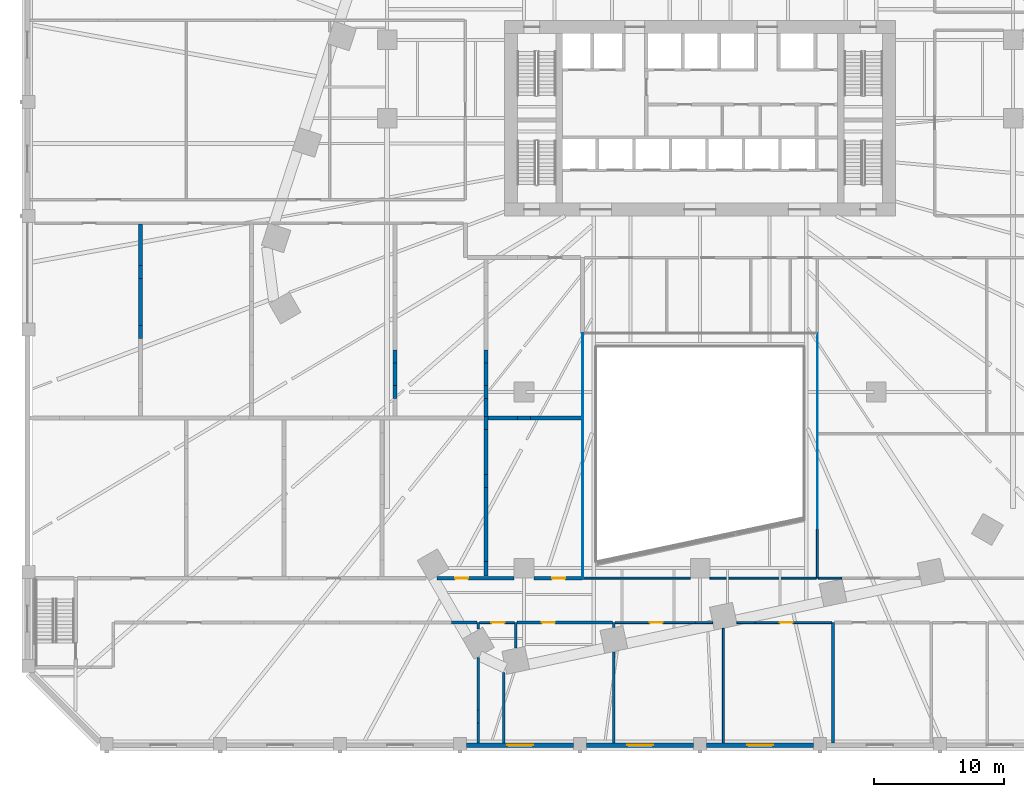
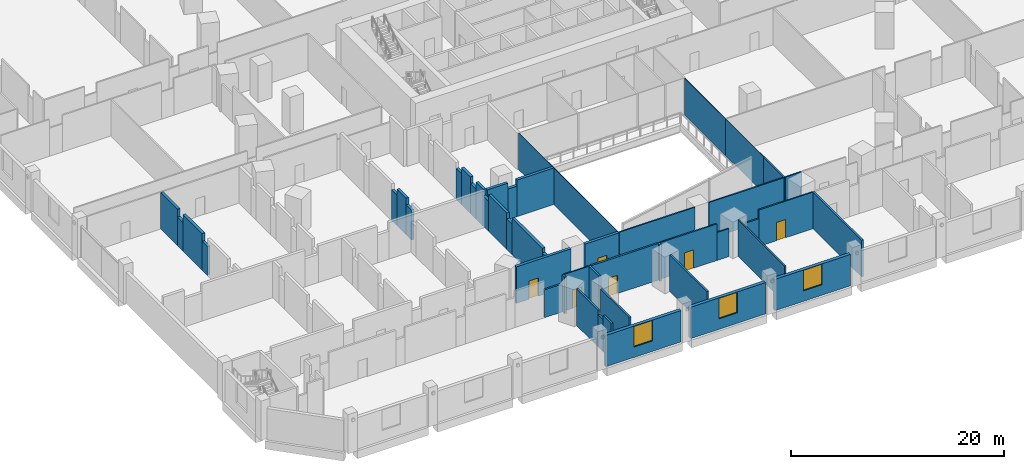
# One storey, part 14 of 33: 49 walls, 6 doors, 3 windows, 9 openings.
"""IFC4 building model written with IfcOpenShell, lengths in metres."""

from ifc_helpers import new_model, si_unit, direction, frame, frame_2d, origin, place, context, subcontext, project, spatial, rectangle, extrude, material, layer, layer_set, type_object, element, fill, save


model = new_model("IFC4")

# Units and contexts
model_context = context("Model", 3, precision=1e-05, world=origin(), true_north=direction((0.0, 1.0)))
body_context = subcontext(model_context, "Body", "Model", "MODEL_VIEW")
ifc_project = project(units=[si_unit("LENGTHUNIT", "METRE"), si_unit("AREAUNIT", "SQUARE_METRE"), si_unit("VOLUMEUNIT", "CUBIC_METRE"), si_unit("PLANEANGLEUNIT", "RADIAN"), si_unit("MASSUNIT", "GRAM", prefix="KILO")], contexts=[model_context])

# Site, building, storey
site_placement = place(None, origin())
site = spatial("IfcSite", under=ifc_project, at=site_placement, CompositionType="ELEMENT")
building_placement = place(site_placement, origin())
building = spatial("IfcBuilding", under=site, at=building_placement, Name="Isthmus Gate Tower", CompositionType="ELEMENT")
storey_placement = place(building_placement, frame((0.0, 0.0, 22.5)))
storey = spatial("IfcBuildingStorey", under=building, at=storey_placement, Name="L03", CompositionType="ELEMENT", Elevation=22.5)

# Wall, opening, door
ifc_material_1 = material(Name="Double-leaf gypsum board with mineral wool, resilient mounted")
ifc_layer_1 = layer(ifc_material_1, 0.300048828125)
ifc_layer_set_1 = layer_set([ifc_layer_1], Name="Acoustic studio wall 300 double leaf")
wall_type_1 = type_object("IfcWallType", Name="Acoustic studio wall 300 double leaf", PredefinedType="PARTITIONING", material=ifc_layer_set_1)
wall_1_placement = place(storey_placement, frame((-20.189453125, -27.779052734375, 0.0), z_axis=(0.0, 0.0, 1.0), x_axis=(1.0, 0.0, 0.0)))
wall_1 = element("IfcWall", 1, at=wall_1_placement, inside=storey, type_object=wall_type_1, Name="Acoustic studio wall", PredefinedType="PARTITIONING", context=body_context, shape_type="SweptSolid", body=[
    extrude(rectangle(XDim=5.939453125, YDim=0.300048828125, at=frame_2d((2.9697265625, 0.0))), origin(), (0.0, 0.0, 1.0), 4.199951171875),
])
opening_1_placement = place(wall_1_placement, frame((1.39990234375, 0.0, 0.0)))
opening_1 = element("IfcOpeningElement", 2, at=opening_1_placement, cuts=wall_1, Name="Opening DP03-17", PredefinedType="OPENING", context=body_context, shape_type="SweptSolid", body=[
    extrude(rectangle(XDim=1.0, YDim=2.10009765625, at=frame_2d((0.5, 1.050048828125))), frame((0.0, 0.159912109375, 0.0), z_axis=(0.0, -1.0, 0.0), x_axis=(1.0, 0.0, 0.0)), (0.0, 0.0, 1.0), 0.320068359375),
])
ifc_material_2 = material(Name="Hollow metal frame with solid-core timber leaf", Category="wood")
door_type_1 = type_object("IfcDoorType", Name="Single swing door 1000 x 2100", OperationType="SINGLE_SWING_LEFT", PredefinedType="DOOR", material=ifc_material_2)
door_1_placement = place(opening_1_placement, origin())
door_1 = element("IfcDoor", 3, at=door_1_placement, inside=storey, type_object=door_type_1, Name="Door DP03-17", OperationType="SINGLE_SWING_LEFT", OverallHeight=2.10009765625, OverallWidth=1.0, PredefinedType="DOOR", context=body_context, shape_type="SweptSolid", body=[
    extrude(rectangle(XDim=1.0, YDim=2.10009765625, at=frame_2d((0.5, 1.050048828125))), frame((0.0, 0.02490234375, 0.0), z_axis=(0.0, -1.0, 0.0), x_axis=(1.0, 0.0, 0.0)), (0.0, 0.0, 1.0), 0.050048828125),
])
fill(opening_1, door_1)

wall_2_placement = place(storey_placement, frame((-12.75, -27.779052734375, 0.0), z_axis=(0.0, 0.0, 1.0), x_axis=(1.0, 0.0, 0.0)))
wall_2 = element("IfcWall", 4, at=wall_2_placement, inside=storey, type_object=wall_type_1, Name="Acoustic studio wall", PredefinedType="PARTITIONING", context=body_context, shape_type="SweptSolid", body=[
    extrude(rectangle(XDim=3.719970703125, YDim=0.300048828125, at=frame_2d((1.85986328125, 0.0))), origin(), (0.0, 0.0, 1.0), 4.199951171875),
])
opening_2_placement = place(wall_2_placement, frame((1.39990234375, 0.0, 0.0)))
opening_2 = element("IfcOpeningElement", 5, at=opening_2_placement, cuts=wall_2, Name="Opening DP03-18", PredefinedType="OPENING", context=body_context, shape_type="SweptSolid", body=[
    extrude(rectangle(XDim=1.0, YDim=2.10009765625, at=frame_2d((0.5, 1.050048828125))), frame((0.0, 0.159912109375, 0.0), z_axis=(0.0, -1.0, 0.0), x_axis=(1.0, 0.0, 0.0)), (0.0, 0.0, 1.0), 0.320068359375),
])
door_2_placement = place(opening_2_placement, origin())
door_2 = element("IfcDoor", 6, at=door_2_placement, inside=storey, type_object=door_type_1, Name="Door DP03-18", OperationType="SINGLE_SWING_LEFT", OverallHeight=2.10009765625, OverallWidth=1.0, PredefinedType="DOOR", context=body_context, shape_type="SweptSolid", body=[
    extrude(rectangle(XDim=1.0, YDim=2.10009765625, at=frame_2d((0.5, 1.050048828125))), frame((0.0, 0.02490234375, 0.0), z_axis=(0.0, -1.0, 0.0), x_axis=(1.0, 0.0, 0.0)), (0.0, 0.0, 1.0), 0.050048828125),
])
fill(opening_2, door_2)

# Walls
wall_3_placement = place(storey_placement, frame((-16.25, -15.489013671875, 0.0), z_axis=(0.0, 0.0, 1.0), x_axis=(1.0, 0.0, 0.0)))
element("IfcWall", 7, at=wall_3_placement, inside=storey, type_object=wall_type_1, Name="Acoustic studio wall", PredefinedType="PARTITIONING", context=body_context, shape_type="SweptSolid", body=[
    extrude(rectangle(XDim=2.25, YDim=0.300048828125, at=frame_2d((1.125, 0.0))), origin(), (0.0, 0.0, 1.0), 4.199951171875),
])
wall_4_placement = place(storey_placement, frame((-14.0, -15.489013671875, 0.0), z_axis=(0.0, 0.0, 1.0), x_axis=(1.0, 0.0, 0.0)))
element("IfcWall", 8, at=wall_4_placement, inside=storey, type_object=wall_type_1, Name="Acoustic studio wall", PredefinedType="PARTITIONING", context=body_context, shape_type="SweptSolid", body=[
    extrude(rectangle(XDim=1.0, YDim=0.300048828125, at=frame_2d((0.5, 0.0))), origin(), (0.0, 0.0, 1.0), 3.5205078125),
])
wall_5_placement = place(storey_placement, frame((-13.0, -15.489013671875, 0.0), z_axis=(0.0, 0.0, 1.0), x_axis=(1.0, 0.0, 0.0)))
element("IfcWall", 9, at=wall_5_placement, inside=storey, type_object=wall_type_1, Name="Acoustic studio wall", PredefinedType="PARTITIONING", context=body_context, shape_type="SweptSolid", body=[
    extrude(rectangle(XDim=3.969970703125, YDim=0.300048828125, at=frame_2d((1.98486328125, 0.0))), origin(), (0.0, 0.0, 1.0), 4.199951171875),
])
wall_6_placement = place(storey_placement, frame((-42.89990234375, -9.416015625, 0.0), z_axis=(0.0, 0.0, 1.0), x_axis=(0.0, 1.0, 0.0)))
element("IfcWall", 10, at=wall_6_placement, inside=storey, type_object=wall_type_1, Name="Acoustic studio wall", PredefinedType="PARTITIONING", context=body_context, shape_type="SweptSolid", body=[
    extrude(rectangle(XDim=1.0, YDim=0.300048828125, at=frame_2d((0.5, 0.0))), origin(), (0.0, 0.0, 1.0), 3.29833984375),
])
wall_7_placement = place(storey_placement, frame((-42.89990234375, -8.416015625, 0.0), z_axis=(0.0, 0.0, 1.0), x_axis=(0.0, 1.0, 0.0)))
element("IfcWall", 11, at=wall_7_placement, inside=storey, type_object=wall_type_1, Name="Acoustic studio wall", PredefinedType="PARTITIONING", context=body_context, shape_type="SweptSolid", body=[
    extrude(rectangle(XDim=3.615234375, YDim=0.300048828125, at=frame_2d((1.8076171875, 0.0))), origin(), (0.0, 0.0, 1.0), 4.199951171875),
])
wall_8_placement = place(storey_placement, frame((-42.89990234375, -4.80078125, 0.0), z_axis=(0.0, 0.0, 1.0), x_axis=(0.0, 1.0, 0.0)))
element("IfcWall", 12, at=wall_8_placement, inside=storey, type_object=wall_type_1, Name="Acoustic studio wall", PredefinedType="PARTITIONING", context=body_context, shape_type="SweptSolid", body=[
    extrude(rectangle(XDim=1.0, YDim=0.300048828125, at=frame_2d((0.5, 0.0))), origin(), (0.0, 0.0, 1.0), 3.29833984375),
])
wall_9_placement = place(storey_placement, frame((-42.89990234375, -3.80078125, 0.0), z_axis=(0.0, 0.0, 1.0), x_axis=(0.0, 1.0, 0.0)))
element("IfcWall", 13, at=wall_9_placement, inside=storey, type_object=wall_type_1, Name="Acoustic studio wall", PredefinedType="PARTITIONING", context=body_context, shape_type="SweptSolid", body=[
    extrude(rectangle(XDim=3.1767578125, YDim=0.300048828125, at=frame_2d((1.58837890625, 0.0))), origin(), (0.0, 0.0, 1.0), 4.199951171875),
])
wall_10_placement = place(storey_placement, frame((-23.39990234375, -14.0, 0.0), z_axis=(0.0, 0.0, 1.0), x_axis=(0.0, 1.0, 0.0)))
element("IfcWall", 14, at=wall_10_placement, inside=storey, type_object=wall_type_1, Name="Acoustic studio wall", PredefinedType="PARTITIONING", context=body_context, shape_type="SweptSolid", body=[
    extrude(rectangle(XDim=1.0, YDim=0.300048828125, at=frame_2d((0.5, 0.0))), origin(), (0.0, 0.0, 1.0), 3.441162109375),
])
wall_11_placement = place(storey_placement, frame((-23.39990234375, -13.0, 0.0), z_axis=(0.0, 0.0, 1.0), x_axis=(0.0, 1.0, 0.0)))
element("IfcWall", 15, at=wall_11_placement, inside=storey, type_object=wall_type_1, Name="Acoustic studio wall", PredefinedType="PARTITIONING", context=body_context, shape_type="SweptSolid", body=[
    extrude(rectangle(XDim=1.727294921875, YDim=0.300048828125, at=frame_2d((0.86376953125, 0.0))), origin(), (0.0, 0.0, 1.0), 4.199951171875),
])
wall_12_placement = place(storey_placement, frame((-23.39990234375, -11.272705078125, 0.0), z_axis=(0.0, 0.0, 1.0), x_axis=(0.0, 1.0, 0.0)))
element("IfcWall", 16, at=wall_12_placement, inside=storey, type_object=wall_type_1, Name="Acoustic studio wall", PredefinedType="PARTITIONING", context=body_context, shape_type="SweptSolid", body=[
    extrude(rectangle(XDim=1.0, YDim=0.300048828125, at=frame_2d((0.5, 0.0))), origin(), (0.0, 0.0, 1.0), 3.5205078125),
])
wall_13_placement = place(storey_placement, frame((-16.39990234375, -27.62890625, 0.0), z_axis=(0.0, 0.0, 1.0), x_axis=(0.0, 1.0, 0.0)))
element("IfcWall", 17, at=wall_13_placement, inside=storey, type_object=wall_type_1, Name="Acoustic studio wall", PredefinedType="PARTITIONING", context=body_context, shape_type="SweptSolid", body=[
    extrude(rectangle(XDim=1.12890625, YDim=0.300048828125, at=frame_2d((0.564453125, 0.0))), origin(), (0.0, 0.0, 1.0), 3.66650390625),
])
wall_14_placement = place(storey_placement, frame((-16.39990234375, -26.5, 0.0), z_axis=(0.0, 0.0, 1.0), x_axis=(0.0, 1.0, 0.0)))
element("IfcWall", 18, at=wall_14_placement, inside=storey, type_object=wall_type_1, Name="Acoustic studio wall", PredefinedType="PARTITIONING", context=body_context, shape_type="SweptSolid", body=[
    extrude(rectangle(XDim=5.683349609375, YDim=0.300048828125, at=frame_2d((2.841796875, 0.0))), origin(), (0.0, 0.0, 1.0), 4.199951171875),
])
wall_15_placement = place(storey_placement, frame((-16.39990234375, -20.816650390625, 0.0), z_axis=(0.0, 0.0, 1.0), x_axis=(0.0, 1.0, 0.0)))
element("IfcWall", 19, at=wall_15_placement, inside=storey, type_object=wall_type_1, Name="Acoustic studio wall", PredefinedType="PARTITIONING", context=body_context, shape_type="SweptSolid", body=[
    extrude(rectangle(XDim=1.0, YDim=0.300048828125, at=frame_2d((0.5, 0.0))), origin(), (0.0, 0.0, 1.0), 3.5205078125),
])
wall_16_placement = place(storey_placement, frame((-16.39990234375, -19.816650390625, 0.0), z_axis=(0.0, 0.0, 1.0), x_axis=(0.0, 1.0, 0.0)))
element("IfcWall", 20, at=wall_16_placement, inside=storey, type_object=wall_type_1, Name="Acoustic studio wall", PredefinedType="PARTITIONING", context=body_context, shape_type="SweptSolid", body=[
    extrude(rectangle(XDim=3.45556640625, YDim=0.300048828125, at=frame_2d((1.727783203125, 0.0))), origin(), (0.0, 0.0, 1.0), 4.199951171875),
])
wall_17_placement = place(storey_placement, frame((-16.39990234375, -16.361083984375, 0.0), z_axis=(0.0, 0.0, 1.0), x_axis=(0.0, 1.0, 0.0)))
element("IfcWall", 21, at=wall_17_placement, inside=storey, type_object=wall_type_1, Name="Acoustic studio wall", PredefinedType="PARTITIONING", context=body_context, shape_type="SweptSolid", body=[
    extrude(rectangle(XDim=1.0, YDim=0.300048828125, at=frame_2d((0.5, 0.0))), origin(), (0.0, 0.0, 1.0), 3.45068359375),
])
wall_18_placement = place(storey_placement, frame((-16.39990234375, -15.361083984375, 0.0), z_axis=(0.0, 0.0, 1.0), x_axis=(0.0, 1.0, 0.0)))
element("IfcWall", 22, at=wall_18_placement, inside=storey, type_object=wall_type_1, Name="Acoustic studio wall", PredefinedType="PARTITIONING", context=body_context, shape_type="SweptSolid", body=[
    extrude(rectangle(XDim=1.361083984375, YDim=0.300048828125, at=frame_2d((0.6806640625, 0.0))), origin(), (0.0, 0.0, 1.0), 4.199951171875),
])
wall_19_placement = place(storey_placement, frame((-16.39990234375, -14.0, 0.0), z_axis=(0.0, 0.0, 1.0), x_axis=(0.0, 1.0, 0.0)))
element("IfcWall", 23, at=wall_19_placement, inside=storey, type_object=wall_type_1, Name="Acoustic studio wall", PredefinedType="PARTITIONING", context=body_context, shape_type="SweptSolid", body=[
    extrude(rectangle(XDim=1.0, YDim=0.300048828125, at=frame_2d((0.5, 0.0))), origin(), (0.0, 0.0, 1.0), 3.441162109375),
])
wall_20_placement = place(storey_placement, frame((-16.39990234375, -13.0, 0.0), z_axis=(0.0, 0.0, 1.0), x_axis=(0.0, 1.0, 0.0)))
element("IfcWall", 24, at=wall_20_placement, inside=storey, type_object=wall_type_1, Name="Acoustic studio wall", PredefinedType="PARTITIONING", context=body_context, shape_type="SweptSolid", body=[
    extrude(rectangle(XDim=1.727294921875, YDim=0.300048828125, at=frame_2d((0.86376953125, 0.0))), origin(), (0.0, 0.0, 1.0), 4.199951171875),
])
wall_21_placement = place(storey_placement, frame((-16.39990234375, -11.272705078125, 0.0), z_axis=(0.0, 0.0, 1.0), x_axis=(0.0, 1.0, 0.0)))
element("IfcWall", 25, at=wall_21_placement, inside=storey, type_object=wall_type_1, Name="Acoustic studio wall", PredefinedType="PARTITIONING", context=body_context, shape_type="SweptSolid", body=[
    extrude(rectangle(XDim=1.0, YDim=0.300048828125, at=frame_2d((0.5, 0.0))), origin(), (0.0, 0.0, 1.0), 3.5205078125),
])
ifc_material_3 = material(Name="Concrete f'c 30 MPa", Category="concrete")
ifc_layer_2 = layer(ifc_material_3, 0.199951171875)
ifc_layer_set_2 = layer_set([ifc_layer_2], Name="Fire-rated block wall 200")
wall_type_2 = type_object("IfcWallType", Name="Fire-rated block wall 200", PredefinedType="PARTITIONING", material=ifc_layer_set_2)
wall_22_placement = place(storey_placement, frame((-19.064697265625, -31.178955078125, 0.0), z_axis=(0.0, 0.0, 1.0), x_axis=(1.0, 0.0, 0.0)))
element("IfcWall", 26, at=wall_22_placement, inside=storey, type_object=wall_type_2, Name="Fire-rated wall", PredefinedType="PARTITIONING", context=body_context, shape_type="SweptSolid", body=[
    extrude(rectangle(XDim=1.9697265625, YDim=0.199951171875, at=frame_2d((0.98486328125, 0.0))), origin(), (0.0, 0.0, 1.0), 3.199951171875),
])

# Wall, opening, door
wall_23_placement = place(storey_placement, frame((-14.031982421875, -31.178955078125, 0.0), z_axis=(0.0, 0.0, 1.0), x_axis=(1.0, 0.0, 0.0)))
wall_23 = element("IfcWall", 27, at=wall_23_placement, inside=storey, type_object=wall_type_2, Name="Fire-rated wall", PredefinedType="PARTITIONING", context=body_context, shape_type="SweptSolid", body=[
    extrude(rectangle(XDim=7.321044921875, YDim=0.199951171875, at=frame_2d((3.66064453125, 0.0))), origin(), (0.0, 0.0, 1.0), 4.199951171875),
])
opening_3_placement = place(wall_23_placement, frame((1.89990234375, 0.0, 0.0)))
opening_3 = element("IfcOpeningElement", 28, at=opening_3_placement, cuts=wall_23, Name="Opening DP03-48", PredefinedType="OPENING", context=body_context, shape_type="SweptSolid", body=[
    extrude(rectangle(XDim=1.0, YDim=2.10009765625, at=frame_2d((0.5, 1.050048828125))), frame((0.0, 0.10986328125, 0.0), z_axis=(0.0, -1.0, 0.0), x_axis=(1.0, 0.0, 0.0)), (0.0, 0.0, 1.0), 0.219970703125),
])
ifc_material_4 = material(Name="Steel fire door with intumescent seals", Category="steel")
door_type_2 = type_object("IfcDoorType", Name="Fire door 1000 x 2100", OperationType="SINGLE_SWING_LEFT", PredefinedType="DOOR", material=ifc_material_4)
door_3_placement = place(opening_3_placement, origin())
door_3 = element("IfcDoor", 29, at=door_3_placement, inside=storey, type_object=door_type_2, Name="Door DP03-48", OperationType="SINGLE_SWING_LEFT", OverallHeight=2.10009765625, OverallWidth=1.0, PredefinedType="DOOR", context=body_context, shape_type="SweptSolid", body=[
    extrude(rectangle(XDim=1.0, YDim=2.10009765625, at=frame_2d((0.5, 1.050048828125))), frame((0.0, 0.02490234375, 0.0), z_axis=(0.0, -1.0, 0.0), x_axis=(1.0, 0.0, 0.0)), (0.0, 0.0, 1.0), 0.050048828125),
])
fill(opening_3, door_3)

# Walls
wall_24_placement = place(storey_placement, frame((-16.9951171875, -40.39990234375, 0.0), z_axis=(0.0, 0.0, 1.0), x_axis=(0.0, 1.0, 0.0)))
element("IfcWall", 30, at=wall_24_placement, inside=storey, type_object=wall_type_2, Name="Fire-rated wall", PredefinedType="PARTITIONING", context=body_context, shape_type="SweptSolid", body=[
    extrude(rectangle(XDim=1.50390625, YDim=0.199951171875, at=frame_2d((0.751953125, 0.0))), origin(), (0.0, 0.0, 1.0), 4.199951171875),
])
wall_25_placement = place(storey_placement, frame((-16.9951171875, -38.89599609375, 0.0), z_axis=(0.0, 0.0, 1.0), x_axis=(0.0, 1.0, 0.0)))
element("IfcWall", 31, at=wall_25_placement, inside=storey, type_object=wall_type_2, Name="Fire-rated wall", PredefinedType="PARTITIONING", context=body_context, shape_type="SweptSolid", body=[
    extrude(rectangle(XDim=1.0, YDim=0.199951171875, at=frame_2d((0.5, 0.0))), origin(), (0.0, 0.0, 1.0), 3.676025390625),
])
wall_26_placement = place(storey_placement, frame((-16.9951171875, -37.89599609375, 0.0), z_axis=(0.0, 0.0, 1.0), x_axis=(0.0, 1.0, 0.0)))
element("IfcWall", 32, at=wall_26_placement, inside=storey, type_object=wall_type_2, Name="Fire-rated wall", PredefinedType="PARTITIONING", context=body_context, shape_type="SweptSolid", body=[
    extrude(rectangle(XDim=4.035888671875, YDim=0.199951171875, at=frame_2d((2.01806640625, 0.0))), origin(), (0.0, 0.0, 1.0), 4.199951171875),
])
wall_27_placement = place(storey_placement, frame((-16.9951171875, -31.666259765625, 0.0), z_axis=(0.0, 0.0, 1.0), x_axis=(0.0, 1.0, 0.0)))
element("IfcWall", 33, at=wall_27_placement, inside=storey, type_object=wall_type_2, Name="Fire-rated wall", PredefinedType="PARTITIONING", context=body_context, shape_type="SweptSolid", body=[
    extrude(rectangle(XDim=0.4873046875, YDim=0.199951171875, at=frame_2d((0.24365234375, 0.0))), origin(), (0.0, 0.0, 1.0), 4.199951171875),
])
wall_28_placement = place(storey_placement, frame((-15.050048828125, -40.39990234375, 0.0), z_axis=(0.0, 0.0, 1.0), x_axis=(0.0, 1.0, 0.0)))
element("IfcWall", 34, at=wall_28_placement, inside=storey, type_object=wall_type_2, Name="Fire-rated wall", PredefinedType="PARTITIONING", context=body_context, shape_type="SweptSolid", body=[
    extrude(rectangle(XDim=5.374755859375, YDim=0.199951171875, at=frame_2d((2.6875, 0.0))), origin(), (0.0, 0.0, 1.0), 4.199951171875),
])
wall_29_placement = place(storey_placement, frame((-14.132080078125, -33.142333984375, 0.0), z_axis=(0.0, 0.0, 1.0), x_axis=(0.0, 1.0, 0.0)))
element("IfcWall", 35, at=wall_29_placement, inside=storey, type_object=wall_type_2, Name="Fire-rated wall", PredefinedType="PARTITIONING", context=body_context, shape_type="SweptSolid", body=[
    extrude(rectangle(XDim=1.96337890625, YDim=0.199951171875, at=frame_2d((0.981689453125, 0.0))), origin(), (0.0, 0.0, 1.0), 4.199951171875),
])
wall_30_placement = place(storey_placement, frame((-6.611083984375, -40.39990234375, 0.0), z_axis=(0.0, 0.0, 1.0), x_axis=(0.0, 1.0, 0.0)))
element("IfcWall", 36, at=wall_30_placement, inside=storey, type_object=wall_type_2, Name="Fire-rated wall", PredefinedType="PARTITIONING", context=body_context, shape_type="SweptSolid", body=[
    extrude(rectangle(XDim=6.973388671875, YDim=0.199951171875, at=frame_2d((3.48681640625, 0.0))), origin(), (0.0, 0.0, 1.0), 4.199951171875),
])
wall_31_placement = place(storey_placement, frame((-6.611083984375, -31.543701171875, 0.0), z_axis=(0.0, 0.0, 1.0), x_axis=(0.0, 1.0, 0.0)))
element("IfcWall", 37, at=wall_31_placement, inside=storey, type_object=wall_type_2, Name="Fire-rated wall", PredefinedType="PARTITIONING", context=body_context, shape_type="SweptSolid", body=[
    extrude(rectangle(XDim=0.36474609375, YDim=0.199951171875, at=frame_2d((0.182373046875, 0.0))), origin(), (0.0, 0.0, 1.0), 4.199951171875),
])
wall_32_placement = place(storey_placement, frame((10.19189453125, -40.39990234375, 0.0), z_axis=(0.0, 0.0, 1.0), x_axis=(0.0, 1.0, 0.0)))
element("IfcWall", 38, at=wall_32_placement, inside=storey, type_object=wall_type_2, Name="Fire-rated wall", PredefinedType="PARTITIONING", context=body_context, shape_type="SweptSolid", body=[
    extrude(rectangle(XDim=9.220947265625, YDim=0.199951171875, at=frame_2d((4.6103515625, 0.0))), origin(), (0.0, 0.0, 1.0), 4.199951171875),
])
ifc_material_5 = material(Name="Fire-rated laminated glass in steel frame", Category="steel")
ifc_layer_3 = layer(ifc_material_5, 0.06005859375)
ifc_layer_set_3 = layer_set([ifc_layer_3], Name="Fire-rated glazed atrium screen 60")
wall_type_3 = type_object("IfcWallType", Name="Fire-rated glazed atrium screen 60", PredefinedType="PARTITIONING", material=ifc_layer_set_3)
wall_33_placement = place(storey_placement, frame((-9.0, -27.778076171875, 0.0), z_axis=(0.0, 0.0, 1.0), x_axis=(0.0, 1.0, 0.0)))
element("IfcWall", 39, at=wall_33_placement, inside=storey, type_object=wall_type_3, Name="Atrium screen", PredefinedType="PARTITIONING", context=body_context, shape_type="SweptSolid", body=[
    extrude(rectangle(XDim=12.28759765625, YDim=0.06005859375, at=frame_2d((6.143798828125, 0.0))), origin(), (0.0, 0.0, 1.0), 4.199951171875),
])
wall_34_placement = place(storey_placement, frame((-9.0, -15.488525390625, 0.0), z_axis=(0.0, 0.0, 1.0), x_axis=(0.0, 1.0, 0.0)))
element("IfcWall", 40, at=wall_34_placement, inside=storey, type_object=wall_type_3, Name="Atrium screen", PredefinedType="PARTITIONING", context=body_context, shape_type="SweptSolid", body=[
    extrude(rectangle(XDim=6.487548828125, YDim=0.06005859375, at=frame_2d((3.24365234375, 0.0))), origin(), (0.0, 0.0, 1.0), 4.199951171875),
])
wall_35_placement = place(storey_placement, frame((9.0, -23.952880859375, 0.0), z_axis=(0.0, 0.0, 1.0), x_axis=(0.0, 1.0, 0.0)))
element("IfcWall", 41, at=wall_35_placement, inside=storey, type_object=wall_type_3, Name="Atrium screen", PredefinedType="PARTITIONING", context=body_context, shape_type="SweptSolid", body=[
    extrude(rectangle(XDim=7.2333984375, YDim=0.06005859375, at=frame_2d((3.61669921875, 0.0))), origin(), (0.0, 0.0, 1.0), 4.199951171875),
])
wall_36_placement = place(storey_placement, frame((9.0, -16.71728515625, 0.0), z_axis=(0.0, 0.0, 1.0), x_axis=(0.0, 1.0, 0.0)))
element("IfcWall", 42, at=wall_36_placement, inside=storey, type_object=wall_type_3, Name="Atrium screen", PredefinedType="PARTITIONING", context=body_context, shape_type="SweptSolid", body=[
    extrude(rectangle(XDim=7.71630859375, YDim=0.06005859375, at=frame_2d((3.858154296875, 0.0))), origin(), (0.0, 0.0, 1.0), 4.199951171875),
])

# Wall, opening, window
ifc_material_6 = material(Name="Precast concrete C40/50, limestone-faced", Category="masonry")
ifc_layer_4 = layer(ifc_material_6, 0.35009765625)
ifc_layer_set_4 = layer_set([ifc_layer_4], Name="PODIUM CLADDING WALL 350")
wall_type_4 = type_object("IfcWallType", Name="PODIUM CLADDING WALL 350", PredefinedType="SOLIDWALL", material=ifc_layer_set_4)
wall_37_placement = place(storey_placement, frame((-17.89990234375, -40.574951171875, -0.300048828125), z_axis=(0.0, 0.0, 1.0), x_axis=(1.0, 0.0, 0.0)))
wall_37 = element("IfcWall", 43, at=wall_37_placement, inside=storey, type_object=wall_type_4, Name="PODIUM WALL", PredefinedType="SOLIDWALL", context=body_context, shape_type="SweptSolid", body=[
    extrude(rectangle(XDim=8.199951171875, YDim=0.35009765625, at=frame_2d((4.10009765625, 0.0))), origin(), (0.0, 0.0, 1.0), 3.60009765625),
])
opening_4_placement = place(wall_37_placement, frame((3.10009765625, 0.0, 1.199951171875)))
opening_4 = element("IfcOpeningElement", 44, at=opening_4_placement, cuts=wall_37, Name="Opening W036", PredefinedType="OPENING", context=body_context, shape_type="SweptSolid", body=[
    extrude(rectangle(XDim=2.0, YDim=2.35009765625, at=frame_2d((1.0, 1.175048828125))), frame((0.0, 0.18505859375, 0.0), z_axis=(0.0, -1.0, 0.0), x_axis=(1.0, 0.0, 0.0)), (0.0, 0.0, 1.0), 0.3701171875),
])
ifc_material_7 = material(Name="Aluminium, pale champagne anodised, laminated glass", Category="aluminium")
window_type = type_object("IfcWindowType", Name="PODIUM SLOT WINDOW 2000 X 2350", PartitioningType="SINGLE_PANEL", PredefinedType="WINDOW", material=ifc_material_7)
window_1_placement = place(opening_4_placement, origin())
window_1 = element("IfcWindow", 45, at=window_1_placement, inside=storey, type_object=window_type, Name="SLOT WINDOW", OverallHeight=2.35009765625, OverallWidth=2.0, PartitioningType="SINGLE_PANEL", PredefinedType="WINDOW", context=body_context, shape_type="SweptSolid", body=[
    extrude(rectangle(XDim=2.0, YDim=2.35009765625, at=frame_2d((1.0, 1.175048828125))), frame((0.0, 0.030029296875, 0.0), z_axis=(0.0, -1.0, 0.0), x_axis=(1.0, 0.0, 0.0)), (0.0, 0.0, 1.0), 0.06005859375),
])
fill(opening_4, window_1)

wall_38_placement = place(storey_placement, frame((-8.699951171875, -40.574951171875, -0.300048828125), z_axis=(0.0, 0.0, 1.0), x_axis=(1.0, 0.0, 0.0)))
wall_38 = element("IfcWall", 46, at=wall_38_placement, inside=storey, type_object=wall_type_4, Name="PODIUM WALL", PredefinedType="SOLIDWALL", context=body_context, shape_type="SweptSolid", body=[
    extrude(rectangle(XDim=8.199951171875, YDim=0.35009765625, at=frame_2d((4.10009765625, 0.0))), origin(), (0.0, 0.0, 1.0), 3.60009765625),
])
opening_5_placement = place(wall_38_placement, frame((3.10009765625, 0.0, 1.199951171875)))
opening_5 = element("IfcOpeningElement", 47, at=opening_5_placement, cuts=wall_38, Name="Opening W037", PredefinedType="OPENING", context=body_context, shape_type="SweptSolid", body=[
    extrude(rectangle(XDim=2.0, YDim=2.35009765625, at=frame_2d((1.0, 1.175048828125))), frame((0.0, 0.18505859375, 0.0), z_axis=(0.0, -1.0, 0.0), x_axis=(1.0, 0.0, 0.0)), (0.0, 0.0, 1.0), 0.3701171875),
])
window_2_placement = place(opening_5_placement, origin())
window_2 = element("IfcWindow", 48, at=window_2_placement, inside=storey, type_object=window_type, Name="SLOT WINDOW", OverallHeight=2.35009765625, OverallWidth=2.0, PartitioningType="SINGLE_PANEL", PredefinedType="WINDOW", context=body_context, shape_type="SweptSolid", body=[
    extrude(rectangle(XDim=2.0, YDim=2.35009765625, at=frame_2d((1.0, 1.175048828125))), frame((0.0, 0.030029296875, 0.0), z_axis=(0.0, -1.0, 0.0), x_axis=(1.0, 0.0, 0.0)), (0.0, 0.0, 1.0), 0.06005859375),
])
fill(opening_5, window_2)

wall_39_placement = place(storey_placement, frame((0.5, -40.574951171875, -0.300048828125), z_axis=(0.0, 0.0, 1.0), x_axis=(1.0, 0.0, 0.0)))
wall_39 = element("IfcWall", 49, at=wall_39_placement, inside=storey, type_object=wall_type_4, Name="PODIUM WALL", PredefinedType="SOLIDWALL", context=body_context, shape_type="SweptSolid", body=[
    extrude(rectangle(XDim=8.199951171875, YDim=0.35009765625, at=frame_2d((4.10009765625, 0.0))), origin(), (0.0, 0.0, 1.0), 3.60009765625),
])
opening_6_placement = place(wall_39_placement, frame((3.10009765625, 0.0, 1.199951171875)))
opening_6 = element("IfcOpeningElement", 50, at=opening_6_placement, cuts=wall_39, Name="Opening W038", PredefinedType="OPENING", context=body_context, shape_type="SweptSolid", body=[
    extrude(rectangle(XDim=2.0, YDim=2.35009765625, at=frame_2d((1.0, 1.175048828125))), frame((0.0, 0.18505859375, 0.0), z_axis=(0.0, -1.0, 0.0), x_axis=(1.0, 0.0, 0.0)), (0.0, 0.0, 1.0), 0.3701171875),
])
window_3_placement = place(opening_6_placement, origin())
window_3 = element("IfcWindow", 51, at=window_3_placement, inside=storey, type_object=window_type, Name="SLOT WINDOW", OverallHeight=2.35009765625, OverallWidth=2.0, PartitioningType="SINGLE_PANEL", PredefinedType="WINDOW", context=body_context, shape_type="SweptSolid", body=[
    extrude(rectangle(XDim=2.0, YDim=2.35009765625, at=frame_2d((1.0, 1.175048828125))), frame((0.0, 0.030029296875, 0.0), z_axis=(0.0, -1.0, 0.0), x_axis=(1.0, 0.0, 0.0)), (0.0, 0.0, 1.0), 0.06005859375),
])
fill(opening_6, window_3)

# Wall, opening, door
ifc_material_8 = material(Name="Gypsum board on cold-formed steel studs", Category="steel")
ifc_layer_5 = layer(ifc_material_8, 0.14990234375)
ifc_layer_set_5 = layer_set([ifc_layer_5])
wall_type_5 = type_object("IfcWallType", Name="Partition 150 gypsum board on steel studs", PredefinedType="PARTITIONING", material=ifc_layer_set_5)
wall_40_placement = place(storey_placement, frame((-16.89501953125, -31.178955078125, 0.0), z_axis=(0.0, 0.0, 1.0), x_axis=(1.0, 0.0, 0.0)))
wall_40 = element("IfcWall", 52, at=wall_40_placement, inside=storey, type_object=wall_type_5, Name="Partition", PredefinedType="PARTITIONING", context=body_context, shape_type="SweptSolid", body=[
    extrude(rectangle(XDim=2.6630859375, YDim=0.14990234375, at=frame_2d((1.33154296875, 0.0))), origin(), (0.0, 0.0, 1.0), 4.199951171875),
])
opening_7_placement = place(wall_40_placement, frame((0.89990234375, 0.0, 0.0)))
opening_7 = element("IfcOpeningElement", 53, at=opening_7_placement, cuts=wall_40, Name="Opening DP03-47", PredefinedType="OPENING", context=body_context, shape_type="SweptSolid", body=[
    extrude(rectangle(XDim=1.0, YDim=2.10009765625, at=frame_2d((0.5, 1.050048828125))), frame((0.0, 0.0849609375, 0.0), z_axis=(0.0, -1.0, 0.0), x_axis=(1.0, 0.0, 0.0)), (0.0, 0.0, 1.0), 0.169921875),
])
door_4_placement = place(opening_7_placement, origin())
door_4 = element("IfcDoor", 54, at=door_4_placement, inside=storey, type_object=door_type_1, Name="Door DP03-47", OperationType="SINGLE_SWING_LEFT", OverallHeight=2.10009765625, OverallWidth=1.0, PredefinedType="DOOR", context=body_context, shape_type="SweptSolid", body=[
    extrude(rectangle(XDim=1.0, YDim=2.10009765625, at=frame_2d((0.5, 1.050048828125))), frame((0.0, 0.02490234375, 0.0), z_axis=(0.0, -1.0, 0.0), x_axis=(1.0, 0.0, 0.0)), (0.0, 0.0, 1.0), 0.050048828125),
])
fill(opening_7, door_4)

wall_41_placement = place(storey_placement, frame((-6.510986328125, -31.178955078125, 0.0), z_axis=(0.0, 0.0, 1.0), x_axis=(1.0, 0.0, 0.0)))
wall_41 = element("IfcWall", 55, at=wall_41_placement, inside=storey, type_object=wall_type_5, Name="Partition", PredefinedType="PARTITIONING", context=body_context, shape_type="SweptSolid", body=[
    extrude(rectangle(XDim=6.1650390625, YDim=0.14990234375, at=frame_2d((3.08251953125, 0.0))), origin(), (0.0, 0.0, 1.0), 4.199951171875),
])
opening_8_placement = place(wall_41_placement, frame((2.64990234375, 0.0, 0.0)))
opening_8 = element("IfcOpeningElement", 56, at=opening_8_placement, cuts=wall_41, Name="Opening DP03-49", PredefinedType="OPENING", context=body_context, shape_type="SweptSolid", body=[
    extrude(rectangle(XDim=1.0, YDim=2.10009765625, at=frame_2d((0.5, 1.050048828125))), frame((0.0, 0.0849609375, 0.0), z_axis=(0.0, -1.0, 0.0), x_axis=(1.0, 0.0, 0.0)), (0.0, 0.0, 1.0), 0.169921875),
])
door_5_placement = place(opening_8_placement, origin())
door_5 = element("IfcDoor", 57, at=door_5_placement, inside=storey, type_object=door_type_1, Name="Door DP03-49", OperationType="SINGLE_SWING_LEFT", OverallHeight=2.10009765625, OverallWidth=1.0, PredefinedType="DOOR", context=body_context, shape_type="SweptSolid", body=[
    extrude(rectangle(XDim=1.0, YDim=2.10009765625, at=frame_2d((0.5, 1.050048828125))), frame((0.0, 0.02490234375, 0.0), z_axis=(0.0, -1.0, 0.0), x_axis=(1.0, 0.0, 0.0)), (0.0, 0.0, 1.0), 0.050048828125),
])
fill(opening_8, door_5)

# Walls
wall_42_placement = place(storey_placement, frame((-0.345947265625, -31.178955078125, 0.0), z_axis=(0.0, 0.0, 1.0), x_axis=(1.0, 0.0, 0.0)))
element("IfcWall", 58, at=wall_42_placement, inside=storey, type_object=wall_type_5, Name="Partition", PredefinedType="PARTITIONING", context=body_context, shape_type="SweptSolid", body=[
    extrude(rectangle(XDim=1.302490234375, YDim=0.14990234375, at=frame_2d((0.6513671875, 0.0))), origin(), (0.0, 0.0, 1.0), 3.199951171875),
])
wall_43_placement = place(storey_placement, frame((2.82861328125, -31.178955078125, 0.0), z_axis=(0.0, 0.0, 1.0), x_axis=(1.0, 0.0, 0.0)))
element("IfcWall", 59, at=wall_43_placement, inside=storey, type_object=wall_type_5, Name="Partition", PredefinedType="PARTITIONING", context=body_context, shape_type="SweptSolid", body=[
    extrude(rectangle(XDim=1.39453125, YDim=0.14990234375, at=frame_2d((0.697265625, 0.0))), origin(), (0.0, 0.0, 1.0), 3.199951171875),
])

# Wall, opening, door
wall_44_placement = place(storey_placement, frame((4.22314453125, -31.178955078125, 0.0), z_axis=(0.0, 0.0, 1.0), x_axis=(1.0, 0.0, 0.0)))
wall_44 = element("IfcWall", 60, at=wall_44_placement, inside=storey, type_object=wall_type_5, Name="Partition", PredefinedType="PARTITIONING", context=body_context, shape_type="SweptSolid", body=[
    extrude(rectangle(XDim=5.868896484375, YDim=0.14990234375, at=frame_2d((2.9345703125, 0.0))), origin(), (0.0, 0.0, 1.0), 4.199951171875),
])
opening_9_placement = place(wall_44_placement, frame((1.89990234375, 0.0, 0.0)))
opening_9 = element("IfcOpeningElement", 61, at=opening_9_placement, cuts=wall_44, Name="Opening DP03-50", PredefinedType="OPENING", context=body_context, shape_type="SweptSolid", body=[
    extrude(rectangle(XDim=1.0, YDim=2.10009765625, at=frame_2d((0.5, 1.050048828125))), frame((0.0, 0.0849609375, 0.0), z_axis=(0.0, -1.0, 0.0), x_axis=(1.0, 0.0, 0.0)), (0.0, 0.0, 1.0), 0.169921875),
])
door_6_placement = place(opening_9_placement, origin())
door_6 = element("IfcDoor", 62, at=door_6_placement, inside=storey, type_object=door_type_1, Name="Door DP03-50", OperationType="SINGLE_SWING_LEFT", OverallHeight=2.10009765625, OverallWidth=1.0, PredefinedType="DOOR", context=body_context, shape_type="SweptSolid", body=[
    extrude(rectangle(XDim=1.0, YDim=2.10009765625, at=frame_2d((0.5, 1.050048828125))), frame((0.0, 0.02490234375, 0.0), z_axis=(0.0, -1.0, 0.0), x_axis=(1.0, 0.0, 0.0)), (0.0, 0.0, 1.0), 0.050048828125),
])
fill(opening_9, door_6)

# Walls
wall_45_placement = place(storey_placement, frame((-8.969970703125, -27.779052734375, 0.0), z_axis=(0.0, 0.0, 1.0), x_axis=(1.0, 0.0, 0.0)))
element("IfcWall", 63, at=wall_45_placement, inside=storey, type_object=wall_type_5, Name="Partition", PredefinedType="PARTITIONING", context=body_context, shape_type="SweptSolid", body=[
    extrude(rectangle(XDim=8.219970703125, YDim=0.14990234375, at=frame_2d((4.10986328125, 0.0))), origin(), (0.0, 0.0, 1.0), 4.199951171875),
])
wall_46_placement = place(storey_placement, frame((0.75, -27.779052734375, 0.0), z_axis=(0.0, 0.0, 1.0), x_axis=(1.0, 0.0, 0.0)))
element("IfcWall", 64, at=wall_46_placement, inside=storey, type_object=wall_type_5, Name="Partition", PredefinedType="PARTITIONING", context=body_context, shape_type="SweptSolid", body=[
    extrude(rectangle(XDim=8.175048828125, YDim=0.14990234375, at=frame_2d((4.08740234375, 0.0))), origin(), (0.0, 0.0, 1.0), 4.199951171875),
])
wall_47_placement = place(storey_placement, frame((9.074951171875, -27.779052734375, 0.0), z_axis=(0.0, 0.0, 1.0), x_axis=(1.0, 0.0, 0.0)))
element("IfcWall", 65, at=wall_47_placement, inside=storey, type_object=wall_type_5, Name="Partition", PredefinedType="PARTITIONING", context=body_context, shape_type="SweptSolid", body=[
    extrude(rectangle(XDim=1.77294921875, YDim=0.14990234375, at=frame_2d((0.886474609375, 0.0))), origin(), (0.0, 0.0, 1.0), 4.199951171875),
])
wall_48_placement = place(storey_placement, frame((1.791015625, -40.39990234375, 0.0), z_axis=(0.0, 0.0, 1.0), x_axis=(0.0, 1.0, 0.0)))
element("IfcWall", 66, at=wall_48_placement, inside=storey, type_object=wall_type_5, Name="Partition", PredefinedType="PARTITIONING", context=body_context, shape_type="SweptSolid", body=[
    extrude(rectangle(XDim=8.7646484375, YDim=0.14990234375, at=frame_2d((4.38232421875, 0.0))), origin(), (0.0, 0.0, 1.0), 4.199951171875),
])
wall_49_placement = place(storey_placement, frame((9.0, -27.778076171875, 0.0), z_axis=(0.0, 0.0, 1.0), x_axis=(0.0, 1.0, 0.0)))
element("IfcWall", 67, at=wall_49_placement, inside=storey, type_object=wall_type_5, Name="Partition", PredefinedType="PARTITIONING", context=body_context, shape_type="SweptSolid", body=[
    extrude(rectangle(XDim=3.8251953125, YDim=0.14990234375, at=frame_2d((1.91259765625, 0.0))), origin(), (0.0, 0.0, 1.0), 4.199951171875),
])

save(model, "model.ifc")
